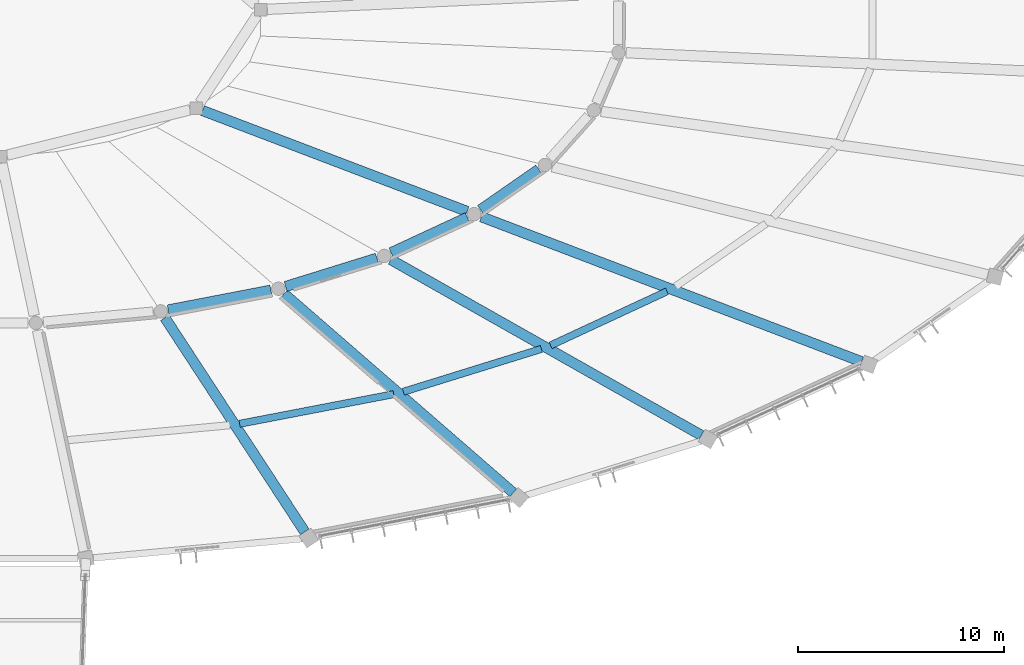
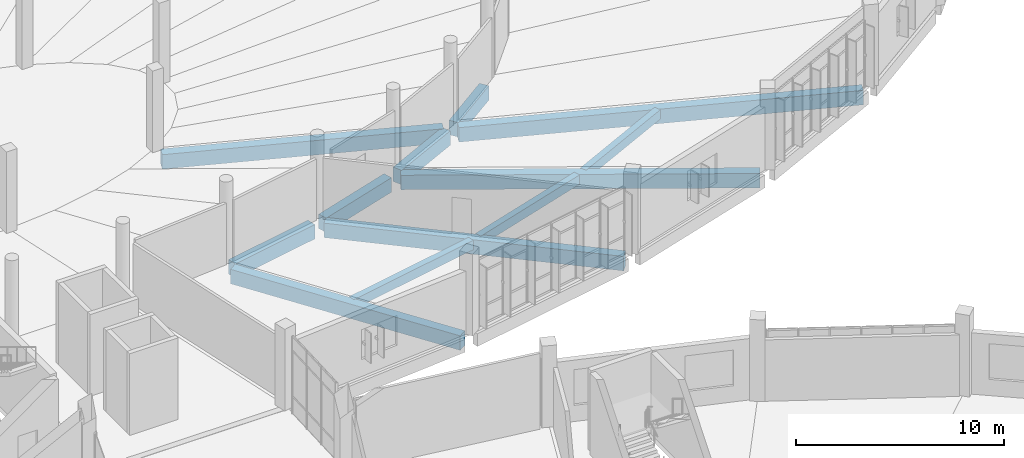
# One storey, part 65 of 179: 12 beams.
"""IFC4 building model written with IfcOpenShell, lengths in metres."""

from ifc_helpers import new_model, si_unit, direction, frame, origin, origin_2d, place, context, subcontext, project, spatial, rectangle, extrude, material, material_profile, profile_set, type_object, element, save


model = new_model("IFC4")

# Units and contexts
model_context = context("Model", 3, precision=1e-05, world=origin(), true_north=direction((0.0, 1.0)))
body_context = subcontext(model_context, "Body", "Model", "MODEL_VIEW")
ifc_project = project(units=[si_unit("LENGTHUNIT", "METRE"), si_unit("AREAUNIT", "SQUARE_METRE"), si_unit("VOLUMEUNIT", "CUBIC_METRE"), si_unit("PLANEANGLEUNIT", "RADIAN"), si_unit("MASSUNIT", "GRAM", prefix="KILO")], contexts=[model_context])

# Site, building, storey
site_placement = place(None, origin())
site = spatial("IfcSite", under=ifc_project, at=site_placement, CompositionType="ELEMENT")
building_placement = place(site_placement, origin())
building = spatial("IfcBuilding", under=site, at=building_placement, Name="Corvandel Quay Wholesale Market", CompositionType="ELEMENT")
storey_placement = place(building_placement, frame((0.0, 0.0, 6.0)))
storey = spatial("IfcBuildingStorey", under=building, at=storey_placement, Name="L01", CompositionType="ELEMENT", Elevation=6.0)

# Beams
ifc_material = material(Name="Precast concrete C45/55", Category="concrete")
ifc_material_profile_1 = material_profile(ifc_material, rectangle(XDim=0.5, YDim=0.85009765625, at=origin_2d()), Name="PC-GIR-500x850")
ifc_profile_set_1 = profile_set([ifc_material_profile_1], Name="Precast concrete C45/55")
beam_type_1 = type_object("IfcBeamType", Name="Fish Hall Radial Girder G04 500x850", PredefinedType="USERDEFINED", material=ifc_profile_set_1)
beam_1_placement = place(storey_placement, frame((138.01318359375, 106.8505859375, -0.68505859375), z_axis=(-0.934475348559, 0.356027840113, 0.0), x_axis=(-0.356027840113, -0.934475348559, 0.0)))
element("IfcBeam", 1, at=beam_1_placement, inside=storey, type_object=beam_type_1, Name="Beam BM-0519", ObjectType="GIRDER", PredefinedType="USERDEFINED", context=body_context, shape_type="SweptSolid", body=[
    extrude(rectangle(XDim=0.5, YDim=0.85009765625, at=origin_2d()), origin(), (0.0, 0.0, 1.0), 13.7392578125),
])
beam_2_placement = place(storey_placement, frame((123.510498046875, 102.06982421875, -0.705078125), z_axis=(0.982030127444, 0.188724213582, 0.0), x_axis=(-0.188724213582, 0.982030127444, 0.0)))
element("IfcBeam", 2, at=beam_2_placement, inside=storey, type_object=beam_type_1, Name="Beam BM-0706", ObjectType="GIRDER", PredefinedType="USERDEFINED", context=body_context, shape_type="SweptSolid", body=[
    extrude(rectangle(XDim=0.5, YDim=0.85009765625, at=origin_2d()), origin(), (0.0, 0.0, 1.0), 5.072265625),
])
beam_3_placement = place(storey_placement, frame((130.132568359375, 91.30859375, -0.705078125), z_axis=(-0.546980409846, 0.837145406273, 0.0), x_axis=(-0.837145406273, -0.546980409846, 0.0)))
element("IfcBeam", 3, at=beam_3_placement, inside=storey, type_object=beam_type_1, Name="Beam BM-0707", ObjectType="GIRDER", PredefinedType="USERDEFINED", context=body_context, shape_type="SweptSolid", body=[
    extrude(rectangle(XDim=0.5, YDim=0.85009765625, at=origin_2d()), origin(), (0.0, 0.0, 1.0), 12.401123046875),
])
beam_4_placement = place(storey_placement, frame((129.20849609375, 103.206787109375, -0.705078125), z_axis=(0.955068247751, 0.296385968186, 0.0), x_axis=(-0.296385968186, 0.955068247751, 0.0)))
element("IfcBeam", 4, at=beam_4_placement, inside=storey, type_object=beam_type_1, Name="Beam BM-0716", ObjectType="GIRDER", PredefinedType="USERDEFINED", context=body_context, shape_type="SweptSolid", body=[
    extrude(rectangle(XDim=0.5, YDim=0.85009765625, at=origin_2d()), origin(), (0.0, 0.0, 1.0), 4.6376953125),
])
beam_5_placement = place(storey_placement, frame((140.24658203125, 93.20166015625, -0.705078125), z_axis=(-0.754943219041, 0.655790161579, 0.0), x_axis=(-0.655790161579, -0.754943219041, 0.0)))
element("IfcBeam", 5, at=beam_5_placement, inside=storey, type_object=beam_type_1, Name="Beam BM-0717", ObjectType="GIRDER", PredefinedType="USERDEFINED", context=body_context, shape_type="SweptSolid", body=[
    extrude(rectangle(XDim=0.5, YDim=0.85009765625, at=origin_2d()), origin(), (0.0, 0.0, 1.0), 14.719482421875),
])
beam_6_placement = place(storey_placement, frame((134.32666015625, 104.8466796875, -0.705078125), z_axis=(0.90699099093, 0.421150023592, 0.0), x_axis=(-0.421150023592, 0.90699099093, 0.0)))
element("IfcBeam", 6, at=beam_6_placement, inside=storey, type_object=beam_type_1, Name="Beam BM-0727", ObjectType="GIRDER", PredefinedType="USERDEFINED", context=body_context, shape_type="SweptSolid", body=[
    extrude(rectangle(XDim=0.5, YDim=0.85009765625, at=origin_2d()), origin(), (0.0, 0.0, 1.0), 4.075927734375),
])
beam_7_placement = place(storey_placement, frame((149.3759765625, 95.986083984375, -0.705078125), z_axis=(-0.870343899496, 0.492444409665, 0.0), x_axis=(-0.492444409665, -0.870343899496, 0.0)))
element("IfcBeam", 7, at=beam_7_placement, inside=storey, type_object=beam_type_1, Name="Beam BM-0728", ObjectType="GIRDER", PredefinedType="USERDEFINED", context=body_context, shape_type="SweptSolid", body=[
    extrude(rectangle(XDim=0.5, YDim=0.85009765625, at=origin_2d()), origin(), (0.0, 0.0, 1.0), 17.306884765625),
])
beam_8_placement = place(storey_placement, frame((138.662841796875, 106.93017578125, -0.705078125), z_axis=(0.821314522828, 0.570475638911, 0.0), x_axis=(-0.570475638911, 0.821314522828, 0.0)))
element("IfcBeam", 8, at=beam_8_placement, inside=storey, type_object=beam_type_1, Name="Beam BM-0734", ObjectType="GIRDER", PredefinedType="USERDEFINED", context=body_context, shape_type="SweptSolid", body=[
    extrude(rectangle(XDim=0.5, YDim=0.85009765625, at=origin_2d()), origin(), (0.0, 0.0, 1.0), 3.438720703125),
])
beam_9_placement = place(storey_placement, frame((157.15234375, 99.5576171875, -0.705078125), z_axis=(-0.93445285879, 0.356086863979, 0.0), x_axis=(-0.356086863979, -0.93445285879, 0.0)))
element("IfcBeam", 9, at=beam_9_placement, inside=storey, type_object=beam_type_1, Name="Beam BM-0735", ObjectType="GIRDER", PredefinedType="USERDEFINED", context=body_context, shape_type="SweptSolid", body=[
    extrude(rectangle(XDim=0.5, YDim=0.85009765625, at=origin_2d()), origin(), (0.0, 0.0, 1.0), 19.74169921875),
])
ifc_material_profile_2 = material_profile(ifc_material, rectangle(XDim=0.35009765625, YDim=0.550048828125, at=origin_2d()), Name="PC-BM-350x550")
ifc_profile_set_2 = profile_set([ifc_material_profile_2], Name="Precast concrete C45/55")
beam_type_2 = type_object("IfcBeamType", Name="Standard Floor Secondary Beam B03 350x550", PredefinedType="BEAM", material=ifc_profile_set_2)
beam_10_placement = place(storey_placement, frame((126.976806640625, 96.544921875, -0.554931640625), z_axis=(0.982014678429, 0.188804585089, 0.0), x_axis=(-0.188804585089, 0.982014678429, 0.0)))
element("IfcBeam", 10, at=beam_10_placement, inside=storey, type_object=beam_type_2, Name="Beam BM-0708", PredefinedType="BEAM", context=body_context, shape_type="SweptSolid", body=[
    extrude(rectangle(XDim=0.35009765625, YDim=0.550048828125, at=origin_2d()), origin(), (0.0, 0.0, 1.0), 7.614990234375),
])
beam_11_placement = place(storey_placement, frame((134.919677734375, 98.09912109375, -0.554931640625), z_axis=(0.955085890654, 0.296329110067, 0.0), x_axis=(-0.296329110067, 0.955085890654, 0.0)))
element("IfcBeam", 11, at=beam_11_placement, inside=storey, type_object=beam_type_2, Name="Beam BM-0718", PredefinedType="BEAM", context=body_context, shape_type="SweptSolid", body=[
    extrude(rectangle(XDim=0.35009765625, YDim=0.550048828125, at=origin_2d()), origin(), (0.0, 0.0, 1.0), 7.010498046875),
])
beam_12_placement = place(storey_placement, frame((142.062255859375, 100.3486328125, -0.554931640625), z_axis=(0.906989715191, 0.421152771019, 0.0), x_axis=(-0.421152771019, 0.906989715191, 0.0)))
element("IfcBeam", 12, at=beam_12_placement, inside=storey, type_object=beam_type_2, Name="Beam BM-0729", PredefinedType="BEAM", context=body_context, shape_type="SweptSolid", body=[
    extrude(rectangle(XDim=0.35009765625, YDim=0.550048828125, at=origin_2d()), origin(), (0.0, 0.0, 1.0), 6.227783203125),
])

save(model, "model.ifc")
